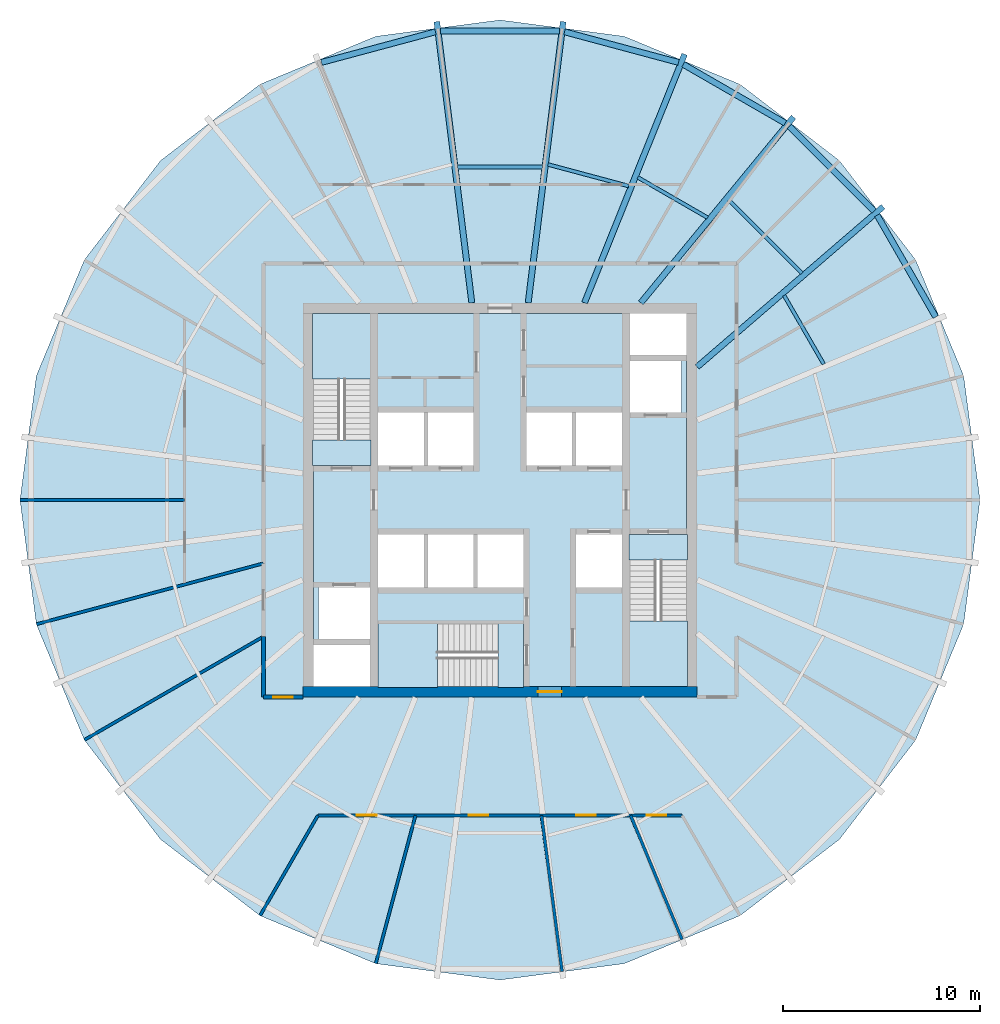
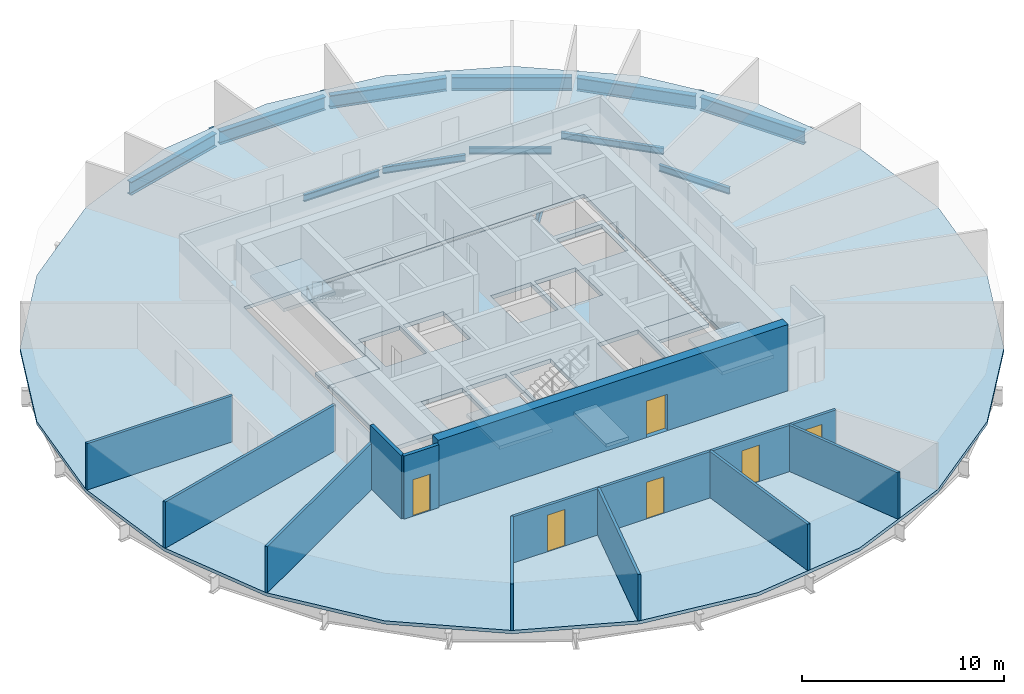
# One storey, part 2 of 6: 16 beams, 11 walls, 8 slabs, 6 doors, 6 openings, 3 elements without a shape of their own.
"""IFC4 building model written with IfcOpenShell, lengths in metres."""

from ifc_helpers import new_model, si_unit, direction, frame, frame_2d, origin, origin_2d, place, context, subcontext, project, spatial, polyline, rectangle, i_section, outline, extrude, material, layer, layer_set, material_profile, profile_set, type_object, element, fill, aggregate, save


model = new_model("IFC4")

# Units and contexts
model_context = context("Model", 3, precision=1e-05, world=origin(), true_north=direction((0.0, 1.0)))
body_context = subcontext(model_context, "Body", "Model", "MODEL_VIEW")
ifc_project = project(units=[si_unit("LENGTHUNIT", "METRE"), si_unit("AREAUNIT", "SQUARE_METRE"), si_unit("VOLUMEUNIT", "CUBIC_METRE"), si_unit("PLANEANGLEUNIT", "RADIAN"), si_unit("MASSUNIT", "GRAM", prefix="KILO")], contexts=[model_context])

# Site, building, storey
site_placement = place(None, origin())
site = spatial("IfcSite", under=ifc_project, at=site_placement, CompositionType="ELEMENT")
building_placement = place(site_placement, origin())
building = spatial("IfcBuilding", under=site, at=building_placement, Name="Golbaran Civic Tower", CompositionType="ELEMENT")
storey_placement = place(building_placement, frame((0.0, 0.0, 142.0)))
storey = spatial("IfcBuildingStorey", under=building, at=storey_placement, Name="L34", CompositionType="ELEMENT", Elevation=142.0)

# Beams
ifc_material_1 = material(Name="Steel S355", Category="steel")
ifc_material_profile_1 = material_profile(ifc_material_1, i_section(OverallWidth=0.300048828125, OverallDepth=0.800048828125, WebThickness=0.017578125, FlangeThickness=0.032958984375, FilletRadius=0.030029296875, at=origin_2d()), Name="HEB 800")
ifc_profile_set_1 = profile_set([ifc_material_profile_1], Name="Steel S355")
beam_type_1 = type_object("IfcBeamType", Name="EDGE BEAM HEB 800", PredefinedType="BEAM", material=ifc_profile_set_1)
beam_1_placement = place(storey_placement, frame((22.099853515625, 9.28076171875, -0.60009765625), z_axis=(-0.498793737577, 0.866720720505, 0.0), x_axis=(-0.866720720505, -0.498793737577, 0.0)))
element("IfcBeam", 1, at=beam_1_placement, inside=storey, type_object=beam_type_1, Name="Edge beam 22.48 L34", PredefinedType="BEAM", context=body_context, shape_type="SweptSolid", body=[
    extrude(i_section(OverallWidth=0.300048828125, OverallDepth=0.800048828125, WebThickness=0.017578125, FlangeThickness=0.032958984375, FilletRadius=0.030029296875, at=origin_2d()), origin(), (0.0, 0.0, 1.0), 5.956787109375),
])
beam_2_placement = place(storey_placement, frame((18.970458984375, 14.650634765625, -0.60009765625), z_axis=(-0.706725445566, 0.707487911267, 0.0), x_axis=(-0.707487911267, -0.706725445566, 0.0)))
element("IfcBeam", 2, at=beam_2_placement, inside=storey, type_object=beam_type_1, Name="Edge beam 37.52 L34", PredefinedType="BEAM", context=body_context, shape_type="SweptSolid", body=[
    extrude(i_section(OverallWidth=0.300048828125, OverallDepth=0.800048828125, WebThickness=0.017578125, FlangeThickness=0.032958984375, FilletRadius=0.030029296875, at=origin_2d()), origin(), (0.0, 0.0, 1.0), 6.083740234375),
])
beam_3_placement = place(storey_placement, frame((14.46435546875, 19.113037109375, -0.60009765625), z_axis=(-0.86628980393, 0.499541765628, 0.0), x_axis=(-0.499541765628, -0.86628980393, 0.0)))
element("IfcBeam", 3, at=beam_3_placement, inside=storey, type_object=beam_type_1, Name="Edge beam 52.48 L34", PredefinedType="BEAM", context=body_context, shape_type="SweptSolid", body=[
    extrude(i_section(OverallWidth=0.300048828125, OverallDepth=0.800048828125, WebThickness=0.017578125, FlangeThickness=0.032958984375, FilletRadius=0.030029296875, at=origin_2d()), origin(), (0.0, 0.0, 1.0), 5.9658203125),
])
beam_4_placement = place(storey_placement, frame((9.05615234375, 22.192626953125, -0.60009765625), z_axis=(-0.965826411285, 0.25918978233, 0.0), x_axis=(-0.25918978233, -0.965826411285, 0.0)))
element("IfcBeam", 4, at=beam_4_placement, inside=storey, type_object=beam_type_1, Name="Edge beam 67.52 L34", PredefinedType="BEAM", context=body_context, shape_type="SweptSolid", body=[
    extrude(i_section(OverallWidth=0.300048828125, OverallDepth=0.800048828125, WebThickness=0.017578125, FlangeThickness=0.032958984375, FilletRadius=0.030029296875, at=origin_2d()), origin(), (0.0, 0.0, 1.0), 5.98876953125),
])
beam_5_placement = place(storey_placement, frame((3.01416015625, 23.779052734375, -0.60009765625), z_axis=(-1.0, 0.0, 0.0), x_axis=(0.0, -1.0, 0.0)))
element("IfcBeam", 5, at=beam_5_placement, inside=storey, type_object=beam_type_1, Name="Edge beam 82.48 L34", PredefinedType="BEAM", context=body_context, shape_type="SweptSolid", body=[
    extrude(i_section(OverallWidth=0.300048828125, OverallDepth=0.800048828125, WebThickness=0.017578125, FlangeThickness=0.032958984375, FilletRadius=0.030029296875, at=origin_2d()), origin(), (0.0, 0.0, 1.0), 6.0283203125),
])
beam_6_placement = place(storey_placement, frame((-3.27197265625, 23.744873046875, -0.60009765625), z_axis=(-0.965826411285, -0.25918978233, 0.0), x_axis=(0.25918978233, -0.965826411285, 0.0)))
element("IfcBeam", 6, at=beam_6_placement, inside=storey, type_object=beam_type_1, Name="Edge beam 97.52 L34", PredefinedType="BEAM", context=body_context, shape_type="SweptSolid", body=[
    extrude(i_section(OverallWidth=0.300048828125, OverallDepth=0.800048828125, WebThickness=0.017578125, FlangeThickness=0.032958984375, FilletRadius=0.030029296875, at=origin_2d()), origin(), (0.0, 0.0, 1.0), 5.98876953125),
])
ifc_material_profile_2 = material_profile(ifc_material_1, i_section(OverallWidth=0.179931640625, OverallDepth=0.39990234375, WebThickness=0.008544921875, FlangeThickness=0.013427734375, FilletRadius=0.02099609375, at=origin_2d()), Name="IPE 400")
ifc_profile_set_2 = profile_set([ifc_material_profile_2], Name="Steel S355")
beam_type_2 = type_object("IfcBeamType", Name="FLOOR INFILL BEAM IPE 400", PredefinedType="BEAM", material=ifc_profile_set_2)
beam_7_placement = place(storey_placement, frame((16.41943359375, 6.891357421875, -0.39990234375), z_axis=(-0.500021824959, 0.866012802772, 0.0), x_axis=(-0.866012802772, -0.500021824959, 0.0)))
element("IfcBeam", 7, at=beam_7_placement, inside=storey, type_object=beam_type_2, Name="Infill beam 30.00 L34", PredefinedType="BEAM", context=body_context, shape_type="SweptSolid", body=[
    extrude(i_section(OverallWidth=0.179931640625, OverallDepth=0.39990234375, WebThickness=0.008544921875, FlangeThickness=0.013427734375, FilletRadius=0.02099609375, at=origin_2d()), origin(), (0.0, 0.0, 1.0), 4.023681640625),
])
beam_8_placement = place(storey_placement, frame((15.312744140625, 11.4990234375, -0.39990234375), z_axis=(-0.707106781187, 0.707106781187, 0.0), x_axis=(-0.707106781187, -0.707106781187, 0.0)))
element("IfcBeam", 8, at=beam_8_placement, inside=storey, type_object=beam_type_2, Name="Infill beam 45.00 L34", PredefinedType="BEAM", context=body_context, shape_type="SweptSolid", body=[
    extrude(i_section(OverallWidth=0.179931640625, OverallDepth=0.39990234375, WebThickness=0.008544921875, FlangeThickness=0.013427734375, FilletRadius=0.02099609375, at=origin_2d()), origin(), (0.0, 0.0, 1.0), 5.2548828125),
])
beam_9_placement = place(storey_placement, frame((10.525634765625, 14.32080078125, -0.39990234375), z_axis=(-0.866016362635, 0.500015659404, 0.0), x_axis=(-0.500015659404, -0.866016362635, 0.0)))
element("IfcBeam", 9, at=beam_9_placement, inside=storey, type_object=beam_type_2, Name="Infill beam 60.00 L34", PredefinedType="BEAM", context=body_context, shape_type="SweptSolid", body=[
    extrude(i_section(OverallWidth=0.179931640625, OverallDepth=0.39990234375, WebThickness=0.008544921875, FlangeThickness=0.013427734375, FilletRadius=0.02099609375, at=origin_2d()), origin(), (0.0, 0.0, 1.0), 4.084228515625),
])
beam_10_placement = place(storey_placement, frame((6.529541015625, 15.919677734375, -0.39990234375), z_axis=(-0.965927491023, 0.25881283215, 0.0), x_axis=(-0.25881283215, -0.965927491023, 0.0)))
element("IfcBeam", 10, at=beam_10_placement, inside=storey, type_object=beam_type_2, Name="Infill beam 75.00 L34", PredefinedType="BEAM", context=body_context, shape_type="SweptSolid", body=[
    extrude(i_section(OverallWidth=0.179931640625, OverallDepth=0.39990234375, WebThickness=0.008544921875, FlangeThickness=0.013427734375, FilletRadius=0.02099609375, at=origin_2d()), origin(), (0.0, 0.0, 1.0), 4.240234375),
])
beam_11_placement = place(storey_placement, frame((2.15576171875, 16.889404296875, -0.39990234375), z_axis=(-1.0, 0.0, 0.0), x_axis=(0.0, -1.0, 0.0)))
element("IfcBeam", 11, at=beam_11_placement, inside=storey, type_object=beam_type_2, Name="Infill beam 90.00 L34", PredefinedType="BEAM", context=body_context, shape_type="SweptSolid", body=[
    extrude(i_section(OverallWidth=0.179931640625, OverallDepth=0.39990234375, WebThickness=0.008544921875, FlangeThickness=0.013427734375, FilletRadius=0.02099609375, at=origin_2d()), origin(), (0.0, 0.0, 1.0), 4.3115234375),
])
ifc_material_profile_3 = material_profile(ifc_material_1, i_section(OverallWidth=0.300048828125, OverallDepth=1.0, WebThickness=0.01904296875, FlangeThickness=0.035888671875, FilletRadius=0.030029296875, at=origin_2d()), Name="HEB 1000")
ifc_profile_set_3 = profile_set([ifc_material_profile_3], Name="Steel S355")
beam_type_3 = type_object("IfcBeamType", Name="RADIAL FLOOR BEAM HEB 1000", PredefinedType="BEAM", material=ifc_profile_set_3)
beam_12_placement = place(storey_placement, frame((10.0, 6.75, -0.7099609375), z_axis=(0.757588545907, 0.652732406971, 0.0), x_axis=(-0.652732406971, 0.757588545907, 0.0)))
element("IfcBeam", 12, at=beam_12_placement, inside=storey, type_object=beam_type_3, Name="Radial beam 37.52 L34", PredefinedType="BEAM", context=body_context, shape_type="SweptSolid", body=[
    extrude(i_section(OverallWidth=0.300048828125, OverallDepth=1.0, WebThickness=0.01904296875, FlangeThickness=0.035888671875, FilletRadius=0.030029296875, at=origin_2d()), origin(), (0.0, 0.0, 1.0), 12.447265625),
])
beam_13_placement = place(storey_placement, frame((7.142822265625, 10.0, -0.7099609375), z_axis=(0.634945598952, 0.772556849928, 0.0), x_axis=(-0.772556849928, 0.634945598952, 0.0)))
element("IfcBeam", 13, at=beam_13_placement, inside=storey, type_object=beam_type_3, Name="Radial beam 52.48 L34", PredefinedType="BEAM", context=body_context, shape_type="SweptSolid", body=[
    extrude(i_section(OverallWidth=0.300048828125, OverallDepth=1.0, WebThickness=0.01904296875, FlangeThickness=0.035888671875, FilletRadius=0.030029296875, at=origin_2d()), origin(), (0.0, 0.0, 1.0), 12.1953125),
])
beam_14_placement = place(storey_placement, frame((4.28564453125, 10.0, -0.7099609375), z_axis=(0.373585300299, 0.927595829767, 0.0), x_axis=(-0.927595829767, 0.373585300299, 0.0)))
element("IfcBeam", 14, at=beam_14_placement, inside=storey, type_object=beam_type_3, Name="Radial beam 67.52 L34", PredefinedType="BEAM", context=body_context, shape_type="SweptSolid", body=[
    extrude(i_section(OverallWidth=0.300048828125, OverallDepth=1.0, WebThickness=0.01904296875, FlangeThickness=0.035888671875, FilletRadius=0.030029296875, at=origin_2d()), origin(), (0.0, 0.0, 1.0), 13.59228515625),
])
for number, where, z_axis, x_axis, name in (
    (15, (1.428466796875, 10.0, -0.7099609375), (0.123633247353, 0.99232798013, 0.0), (-0.99232798013, 0.123633247353, 0.0), "Radial beam 82.48 L34"),
    (16, (-1.428466796875, 10.0, -0.7099609375), (-0.123633247353, 0.99232798013, 0.0), (-0.99232798013, -0.123633247353, 0.0), "Radial beam 97.52 L34"),
):
    element("IfcBeam", number, at=place(storey_placement, frame(where, z_axis=z_axis, x_axis=x_axis)), inside=storey, type_object=beam_type_3, Name=name, PredefinedType="BEAM", context=body_context, shape_type="SweptSolid", body=[
        extrude(i_section(OverallWidth=0.300048828125, OverallDepth=1.0, WebThickness=0.01904296875, FlangeThickness=0.035888671875, FilletRadius=0.030029296875, at=origin_2d()), origin(), (0.0, 0.0, 1.0), 14.3701171875),
    ])

# Slabs
ifc_material_2 = material(Name="Concrete LC30/33 lightweight on steel deck", Category="concrete")
ifc_layer_1 = layer(ifc_material_2, 0.199951171875, Name="Concrete LC30/33 lightweight on steel deck")
ifc_layer_set_1 = layer_set([ifc_layer_1], Name="Concrete LC30/33 lightweight on steel deck")
slab_type_1 = type_object("IfcSlabType", Name="COMPOSITE FLOOR SLAB 200", PredefinedType="FLOOR", material=ifc_layer_set_1)
slab_1_placement = place(storey_placement, frame((0.0, 0.0, -0.199951171875)))
element("IfcSlab", 17, at=slab_1_placement, inside=storey, type_object=slab_type_1, Name="Floor slab L34", PredefinedType="FLOOR", context=body_context, shape_type="SweptSolid", body=[
    extrude(outline(polyline([(21.082763671875, -12.172119140625), (17.214111328125, -17.214111328125), (12.172119140625, -21.082763671875), (6.30078125, -23.514892578125), (0.0, -24.34423828125), (-6.30078125, -23.514892578125), (-12.172119140625, -21.082763671875), (-17.214111328125, -17.214111328125), (-21.082763671875, -12.172119140625), (-23.514892578125, -6.30078125), (-24.34423828125, 0.0), (-23.514892578125, 6.30078125), (-21.082763671875, 12.172119140625), (-17.214111328125, 17.214111328125), (-12.172119140625, 21.082763671875), (-6.30078125, 23.514892578125), (0.0, 24.34423828125), (6.30078125, 23.514892578125), (12.172119140625, 21.082763671875), (17.214111328125, 17.214111328125), (21.082763671875, 12.172119140625), (23.514892578125, 6.30078125), (24.34423828125, 0.0), (23.514892578125, -6.30078125), (21.082763671875, -12.172119140625)]), holes=[polyline([(-9.72509765625, 9.72509765625), (-9.72509765625, -9.72509765625), (9.72509765625, -9.72509765625), (9.72509765625, 9.72509765625), (-9.72509765625, 9.72509765625)])]), origin(), (0.0, 0.0, 1.0), 0.199951171875),
])
ifc_material_3 = material(Name="Concrete C35/45", Category="concrete")
ifc_layer_2 = layer(ifc_material_3, 0.25, Name="Concrete C35/45")
ifc_layer_set_2 = layer_set([ifc_layer_2], Name="Concrete C35/45")
slab_type_2 = type_object("IfcSlabType", Name="CORE FLOOR SLAB 250", PredefinedType="FLOOR", material=ifc_layer_set_2)
slab_2_placement = place(storey_placement, frame((0.0, 0.0, -0.25)))
element("IfcSlab", 18, at=slab_2_placement, inside=storey, type_object=slab_type_2, Name="Core floor slab L34", PredefinedType="FLOOR", context=body_context, shape_type="SweptSolid", body=[
    extrude(outline(polyline([(6.60009765625, -1.75), (6.60009765625, -9.449951171875), (1.199951171875, -9.449951171875), (1.199951171875, -6.300048828125), (-6.199951171875, -6.300048828125), (-6.199951171875, -9.449951171875), (-6.60009765625, -9.449951171875), (-6.60009765625, -7.35009765625), (-9.449951171875, -7.35009765625), (-9.449951171875, 1.75), (-6.60009765625, 1.75), (-6.60009765625, 9.449951171875), (6.60009765625, 9.449951171875), (6.60009765625, 7.35009765625), (9.449951171875, 7.35009765625), (9.449951171875, -1.75), (6.60009765625, -1.75)]), holes=[polyline([(9.199951171875, 7.050048828125), (6.60009765625, 7.050048828125), (6.60009765625, 4.449951171875), (9.199951171875, 4.449951171875), (9.199951171875, 7.050048828125)]), polyline([(6.199951171875, -1.75), (3.85009765625, -1.75), (3.85009765625, -4.449951171875), (6.199951171875, -4.449951171875), (6.199951171875, -1.75)]), polyline([(6.199951171875, 4.449951171875), (3.85009765625, 4.449951171875), (3.85009765625, 1.75), (6.199951171875, 1.75), (6.199951171875, 4.449951171875)]), polyline([(3.64990234375, 4.449951171875), (1.35009765625, 4.449951171875), (1.35009765625, 1.75), (3.64990234375, 1.75), (3.64990234375, 4.449951171875)]), polyline([(1.199951171875, -1.75), (-1.14990234375, -1.75), (-1.14990234375, -4.449951171875), (1.199951171875, -4.449951171875), (1.199951171875, -1.75)]), polyline([(-1.35009765625, 4.449951171875), (-3.64990234375, 4.449951171875), (-3.64990234375, 1.75), (-1.35009765625, 1.75), (-1.35009765625, 4.449951171875)]), polyline([(-1.35009765625, -1.75), (-3.64990234375, -1.75), (-3.64990234375, -4.449951171875), (-1.35009765625, -4.449951171875), (-1.35009765625, -1.75)]), polyline([(-3.85009765625, -1.75), (-6.199951171875, -1.75), (-6.199951171875, -4.449951171875), (-3.85009765625, -4.449951171875), (-3.85009765625, -1.75)]), polyline([(-3.85009765625, 4.449951171875), (-6.199951171875, 4.449951171875), (-6.199951171875, 1.75), (-3.85009765625, 1.75), (-3.85009765625, 4.449951171875)]), polyline([(-6.60009765625, -4.449951171875), (-9.199951171875, -4.449951171875), (-9.199951171875, -7.050048828125), (-6.60009765625, -7.050048828125), (-6.60009765625, -4.449951171875)])]), origin(), (0.0, 0.0, 1.0), 0.25),
])

# Stair, slab
stair_type_1 = type_object("IfcStairType", Name="EXIT STAIR 2850 x 7700, 4000 RISE", PredefinedType="HALF_TURN_STAIR", material=ifc_material_3)
stair_1_placement = place(storey_placement, origin())
stair_1 = element("IfcStair", 19, at=stair_1_placement, inside=storey, type_object=stair_type_1, Name="Stair S1 L34", PredefinedType="HALF_TURN_STAIR")
ifc_layer_3 = layer(ifc_material_3, 0.199951171875, Name="Concrete C35/45")
ifc_layer_set_3 = layer_set([ifc_layer_3], Name="Concrete C35/45")
slab_type_3 = type_object("IfcSlabType", Name="STAIR LANDING 200", PredefinedType="LANDING", material=ifc_layer_set_3)
slab_3_placement = place(storey_placement, frame((0.0, 0.0, 1.800048828125)))
slab_3 = element("IfcSlab", 20, at=slab_3_placement, type_object=slab_type_3, Name="ST28577-40 landing 1", PredefinedType="LANDING", context=body_context, shape_type="SweptSolid", body=[
    extrude(outline(polyline([(-9.5, 6.125), (-9.5, 9.449951171875), (-6.550048828125, 9.449951171875), (-6.550048828125, 6.125), (-9.5, 6.125)])), origin(), (0.0, 0.0, 1.0), 0.199951171875),
])
aggregate(stair_1, [slab_3])

# Slab
slab_4_placement = place(storey_placement, frame((0.0, 0.0, -0.199951171875)))
element("IfcSlab", 21, at=slab_4_placement, inside=storey, type_object=slab_type_3, Name="Stair S1 floor landing L34", PredefinedType="LANDING", context=body_context, shape_type="SweptSolid", body=[
    extrude(outline(polyline([(-9.5, 1.75), (-9.5, 3.054931640625), (-6.550048828125, 3.054931640625), (-6.550048828125, 1.75), (-9.5, 1.75)])), origin(), (0.0, 0.0, 1.0), 0.199951171875),
])

# Stair, slab
stair_2_placement = place(storey_placement, origin())
stair_2 = element("IfcStair", 22, at=stair_2_placement, inside=storey, type_object=stair_type_1, Name="Stair S2 L34", PredefinedType="HALF_TURN_STAIR")
slab_5_placement = place(storey_placement, frame((0.0, 0.0, 1.800048828125)))
slab_5 = element("IfcSlab", 23, at=slab_5_placement, type_object=slab_type_3, Name="ST28577-40 landing 1", PredefinedType="LANDING", context=body_context, shape_type="SweptSolid", body=[
    extrude(outline(polyline([(9.5, -6.125), (9.5, -9.449951171875), (6.550048828125, -9.449951171875), (6.550048828125, -6.125), (9.5, -6.125)])), origin(), (0.0, 0.0, 1.0), 0.199951171875),
])
aggregate(stair_2, [slab_5])

# Slab
slab_6_placement = place(storey_placement, frame((0.0, 0.0, -0.199951171875)))
element("IfcSlab", 24, at=slab_6_placement, inside=storey, type_object=slab_type_3, Name="Stair S2 floor landing L34", PredefinedType="LANDING", context=body_context, shape_type="SweptSolid", body=[
    extrude(outline(polyline([(9.5, -1.75), (9.5, -3.054931640625), (6.550048828125, -3.054931640625), (6.550048828125, -1.75), (9.5, -1.75)])), origin(), (0.0, 0.0, 1.0), 0.199951171875),
])

# Stair, slab
stair_type_2 = type_object("IfcStairType", Name="EXIT STAIR 3150 x 7400, 4000 RISE", PredefinedType="HALF_TURN_STAIR", material=ifc_material_3)
stair_3_placement = place(storey_placement, origin())
stair_3 = element("IfcStair", 25, at=stair_3_placement, inside=storey, type_object=stair_type_2, Name="Stair S3 L34", PredefinedType="HALF_TURN_STAIR")
slab_7_placement = place(storey_placement, frame((0.0, 0.0, 1.800048828125)))
slab_7 = element("IfcSlab", 26, at=slab_7_placement, type_object=slab_type_3, Name="ST31574-40 landing 1", PredefinedType="LANDING", context=body_context, shape_type="SweptSolid", body=[
    extrude(outline(polyline([(-3.175048828125, -9.5), (-6.199951171875, -9.5), (-6.199951171875, -6.25), (-3.175048828125, -6.25), (-3.175048828125, -9.5)])), origin(), (0.0, 0.0, 1.0), 0.199951171875),
])
aggregate(stair_3, [slab_7])

# Slab
slab_8_placement = place(storey_placement, frame((0.0, 0.0, -0.199951171875)))
element("IfcSlab", 27, at=slab_8_placement, inside=storey, type_object=slab_type_3, Name="Stair S3 floor landing L34", PredefinedType="LANDING", context=body_context, shape_type="SweptSolid", body=[
    extrude(outline(polyline([(1.199951171875, -9.5), (-0.10498046875, -9.5), (-0.10498046875, -6.25), (1.199951171875, -6.25), (1.199951171875, -9.5)])), origin(), (0.0, 0.0, 1.0), 0.199951171875),
])

# Wall, opening, door
ifc_material_4 = material(Name="Concrete C50/60", Category="concrete")
ifc_layer_4 = layer(ifc_material_4, 0.550048828125, Name="Concrete C50/60")
ifc_layer_set_4 = layer_set([ifc_layer_4], Name="Concrete C50/60")
wall_type_1 = type_object("IfcWallType", Name="CORE WALL CONCRETE 550", PredefinedType="SOLIDWALL", material=ifc_layer_set_4)
wall_1_placement = place(storey_placement, frame((10.0, -9.72509765625, 0.0), z_axis=(0.0, 0.0, 1.0), x_axis=(-1.0, 0.0, 0.0)))
wall_1 = element("IfcWall", 28, at=wall_1_placement, inside=storey, type_object=wall_type_1, Name="Core wall CS L34", PredefinedType="SOLIDWALL", context=body_context, shape_type="SweptSolid", body=[
    extrude(rectangle(XDim=20.0, YDim=0.550048828125, at=frame_2d((10.0, 0.0))), origin(), (0.0, 0.0, 1.0), 4.0),
])
opening_1_placement = place(wall_1_placement, frame((6.875, 0.0, 0.0)))
opening_1 = element("IfcOpeningElement", 29, at=opening_1_placement, cuts=wall_1, Name="Opening L34.CS", PredefinedType="OPENING", context=body_context, shape_type="SweptSolid", body=[
    extrude(rectangle(XDim=1.199951171875, YDim=2.199951171875, at=frame_2d((0.60009765625, 1.10009765625))), frame((0.0, 0.284912109375, 0.0), z_axis=(0.0, -1.0, 0.0), x_axis=(1.0, 0.0, 0.0)), (0.0, 0.0, 1.0), 0.570068359375),
])
ifc_material_5 = material(Name="Timber door set in steel frame", Category="steel")
door_type_1 = type_object("IfcDoorType", Name="CORE DOOR 1200x2200", OperationType="DOUBLE_DOOR_SINGLE_SWING", PredefinedType="DOOR", material=ifc_material_5)
door_1_placement = place(opening_1_placement, origin())
door_1 = element("IfcDoor", 30, at=door_1_placement, inside=storey, type_object=door_type_1, Name="Core door south", OperationType="DOUBLE_DOOR_SINGLE_SWING", OverallHeight=2.199951171875, OverallWidth=1.199951171875, PredefinedType="DOOR", context=body_context, shape_type="SweptSolid", body=[
    extrude(rectangle(XDim=1.199951171875, YDim=2.199951171875, at=frame_2d((0.60009765625, 1.10009765625))), frame((0.0, 0.02490234375, 0.0), z_axis=(0.0, -1.0, 0.0), x_axis=(1.0, 0.0, 0.0)), (0.0, 0.0, 1.0), 0.050048828125),
])
fill(opening_1, door_1)

# Wall
ifc_material_6 = material(Name="Gypsum board on steel studs, fire-rated", Category="steel")
ifc_layer_5 = layer(ifc_material_6, 0.199951171875, Name="Gypsum board on steel studs, fire-rated")
ifc_layer_set_5 = layer_set([ifc_layer_5], Name="Gypsum board on steel studs, fire-rated")
wall_type_2 = type_object("IfcWallType", Name="CORRIDOR WALL 200", PredefinedType="PARTITIONING", material=ifc_layer_set_5)
wall_2_placement = place(storey_placement, frame((-12.0, -6.92822265625, 0.0), z_axis=(0.0, 0.0, 1.0), x_axis=(0.0, -1.0, 0.0)))
element("IfcWall", 31, at=wall_2_placement, inside=storey, type_object=wall_type_2, Name="Corridor wall L34", PredefinedType="PARTITIONING", context=body_context, shape_type="SweptSolid", body=[
    extrude(rectangle(XDim=3.07177734375, YDim=0.199951171875, at=frame_2d((1.535888671875, 0.0))), origin(), (0.0, 0.0, 1.0), 3.800048828125),
])

# Wall, opening, door
wall_3_placement = place(storey_placement, frame((-10.0, -10.0, 0.0), z_axis=(0.0, 0.0, 1.0), x_axis=(-1.0, 0.0, 0.0)))
wall_3 = element("IfcWall", 32, at=wall_3_placement, inside=storey, type_object=wall_type_2, Name="Corridor end wall L34", PredefinedType="PARTITIONING", context=body_context, shape_type="SweptSolid", body=[
    extrude(rectangle(XDim=2.0, YDim=0.199951171875, at=frame_2d((1.0, 0.0))), origin(), (0.0, 0.0, 1.0), 3.800048828125),
])
opening_2_placement = place(wall_3_placement, frame((0.5, 0.0, 0.0)))
opening_2 = element("IfcOpeningElement", 33, at=opening_2_placement, cuts=wall_3, Name="Opening L34.24", PredefinedType="OPENING", context=body_context, shape_type="SweptSolid", body=[
    extrude(rectangle(XDim=1.0, YDim=2.199951171875, at=frame_2d((0.5, 1.10009765625))), frame((0.0, 0.10986328125, 0.0), z_axis=(0.0, -1.0, 0.0), x_axis=(1.0, 0.0, 0.0)), (0.0, 0.0, 1.0), 0.219970703125),
])
door_type_2 = type_object("IfcDoorType", Name="OFFICE DOOR 1000x2200", OperationType="SINGLE_SWING_LEFT", PredefinedType="DOOR", material=ifc_material_5)
door_2_placement = place(opening_2_placement, origin())
door_2 = element("IfcDoor", 34, at=door_2_placement, inside=storey, type_object=door_type_2, Name="Open Office door L34", OperationType="SINGLE_SWING_RIGHT", OverallHeight=2.199951171875, OverallWidth=1.0, PredefinedType="DOOR", context=body_context, shape_type="SweptSolid", body=[
    extrude(rectangle(XDim=1.0, YDim=2.199951171875, at=frame_2d((0.5, 1.10009765625))), frame((0.0, 0.02490234375, 0.0), z_axis=(0.0, -1.0, 0.0), x_axis=(1.0, 0.0, 0.0)), (0.0, 0.0, 1.0), 0.050048828125),
])
fill(opening_2, door_2)

# Walls
ifc_material_7 = material(Name="Gypsum board on steel studs", Category="steel")
ifc_layer_6 = layer(ifc_material_7, 0.14990234375, Name="Gypsum board on steel studs")
ifc_layer_set_6 = layer_set([ifc_layer_6], Name="Gypsum board on steel studs")
wall_type_3 = type_object("IfcWallType", Name="OFFICE PARTITION 150", PredefinedType="PARTITIONING", material=ifc_layer_set_6)
wall_4_placement = place(storey_placement, frame((-12.0, -3.21533203125, 0.0), z_axis=(0.0, 0.0, 1.0), x_axis=(-0.965926367889, -0.258817023816, 0.0)))
element("IfcWall", 35, at=wall_4_placement, inside=storey, type_object=wall_type_3, Name="Partition 195 L34", PredefinedType="PARTITIONING", context=body_context, shape_type="SweptSolid", body=[
    extrude(rectangle(XDim=11.910888671875, YDim=0.14990234375, at=frame_2d((5.95556640625, 0.0))), origin(), (0.0, 0.0, 1.0), 2.7900390625),
])
wall_5_placement = place(storey_placement, frame((-12.0, -6.92822265625, 0.0), z_axis=(0.0, 0.0, 1.0), x_axis=(-0.866029212144, -0.49999340367, 0.0)))
element("IfcWall", 36, at=wall_5_placement, inside=storey, type_object=wall_type_3, Name="Partition 210 L34", PredefinedType="PARTITIONING", context=body_context, shape_type="SweptSolid", body=[
    extrude(rectangle(XDim=10.477783203125, YDim=0.14990234375, at=frame_2d((5.23876953125, 0.0))), origin(), (0.0, 0.0, 1.0), 2.7900390625),
])
wall_6_placement = place(storey_placement, frame((-16.0, 0.0, 0.0), z_axis=(0.0, 0.0, 1.0), x_axis=(-1.0, 0.0, 0.0)))
element("IfcWall", 37, at=wall_6_placement, inside=storey, type_object=wall_type_3, Name="Partition 180 L34", PredefinedType="PARTITIONING", context=body_context, shape_type="SweptSolid", body=[
    extrude(rectangle(XDim=8.334228515625, YDim=0.14990234375, at=frame_2d((4.1669921875, 0.0))), origin(), (0.0, 0.0, 1.0), 2.7900390625),
])

# Wall, openings, doors
wall_7_placement = place(storey_placement, frame((-9.237548828125, -16.0, 0.0), z_axis=(0.0, 0.0, 1.0), x_axis=(1.0, 0.0, 0.0)))
wall_7 = element("IfcWall", 38, at=wall_7_placement, inside=storey, type_object=wall_type_3, Name="Suite partition L34", PredefinedType="PARTITIONING", context=body_context, shape_type="SweptSolid", body=[
    extrude(rectangle(XDim=18.47509765625, YDim=0.14990234375, at=frame_2d((9.237548828125, 0.0))), origin(), (0.0, 0.0, 1.0), 2.7900390625),
])
opening_3_placement = place(wall_7_placement, frame((1.97509765625, 0.0, 0.0)))
opening_3 = element("IfcOpeningElement", 39, at=opening_3_placement, cuts=wall_7, Name="Opening L34.07", PredefinedType="OPENING", context=body_context, shape_type="SweptSolid", body=[
    extrude(rectangle(XDim=1.0, YDim=2.199951171875, at=frame_2d((0.5, 1.10009765625))), frame((0.0, 0.0849609375, 0.0), z_axis=(0.0, -1.0, 0.0), x_axis=(1.0, 0.0, 0.0)), (0.0, 0.0, 1.0), 0.169921875),
])
opening_4_placement = place(wall_7_placement, frame((7.647216796875, 0.0, 0.0)))
opening_4 = element("IfcOpeningElement", 40, at=opening_4_placement, cuts=wall_7, Name="Opening L34.08", PredefinedType="OPENING", context=body_context, shape_type="SweptSolid", body=[
    extrude(rectangle(XDim=1.0, YDim=2.199951171875, at=frame_2d((0.5, 1.10009765625))), frame((0.0, 0.0849609375, 0.0), z_axis=(0.0, -1.0, 0.0), x_axis=(1.0, 0.0, 0.0)), (0.0, 0.0, 1.0), 0.169921875),
])
opening_5_placement = place(wall_7_placement, frame((13.1044921875, 0.0, 0.0)))
opening_5 = element("IfcOpeningElement", 41, at=opening_5_placement, cuts=wall_7, Name="Opening L34.09", PredefinedType="OPENING", context=body_context, shape_type="SweptSolid", body=[
    extrude(rectangle(XDim=1.0, YDim=2.199951171875, at=frame_2d((0.5, 1.10009765625))), frame((0.0, 0.0849609375, 0.0), z_axis=(0.0, -1.0, 0.0), x_axis=(1.0, 0.0, 0.0)), (0.0, 0.0, 1.0), 0.169921875),
])
opening_6_placement = place(wall_7_placement, frame((16.670166015625, 0.0, 0.0)))
opening_6 = element("IfcOpeningElement", 42, at=opening_6_placement, cuts=wall_7, Name="Opening L34.10", PredefinedType="OPENING", context=body_context, shape_type="SweptSolid", body=[
    extrude(rectangle(XDim=1.0, YDim=2.199951171875, at=frame_2d((0.5, 1.10009765625))), frame((0.0, 0.0849609375, 0.0), z_axis=(0.0, -1.0, 0.0), x_axis=(1.0, 0.0, 0.0)), (0.0, 0.0, 1.0), 0.169921875),
])
door_3_placement = place(opening_3_placement, origin())
door_3 = element("IfcDoor", 43, at=door_3_placement, inside=storey, type_object=door_type_2, Name="Director's Office door L34", OperationType="SINGLE_SWING_LEFT", OverallHeight=2.199951171875, OverallWidth=1.0, PredefinedType="DOOR", context=body_context, shape_type="SweptSolid", body=[
    extrude(rectangle(XDim=1.0, YDim=2.199951171875, at=frame_2d((0.5, 1.10009765625))), frame((0.0, 0.02490234375, 0.0), z_axis=(0.0, -1.0, 0.0), x_axis=(1.0, 0.0, 0.0)), (0.0, 0.0, 1.0), 0.050048828125),
])
fill(opening_3, door_3)
door_4_placement = place(opening_4_placement, origin())
door_4 = element("IfcDoor", 44, at=door_4_placement, inside=storey, type_object=door_type_2, Name="Director's Office door L34", OperationType="SINGLE_SWING_LEFT", OverallHeight=2.199951171875, OverallWidth=1.0, PredefinedType="DOOR", context=body_context, shape_type="SweptSolid", body=[
    extrude(rectangle(XDim=1.0, YDim=2.199951171875, at=frame_2d((0.5, 1.10009765625))), frame((0.0, 0.02490234375, 0.0), z_axis=(0.0, -1.0, 0.0), x_axis=(1.0, 0.0, 0.0)), (0.0, 0.0, 1.0), 0.050048828125),
])
fill(opening_4, door_4)
door_5_placement = place(opening_5_placement, origin())
door_5 = element("IfcDoor", 45, at=door_5_placement, inside=storey, type_object=door_type_2, Name="Director's Office door L34", OperationType="SINGLE_SWING_RIGHT", OverallHeight=2.199951171875, OverallWidth=1.0, PredefinedType="DOOR", context=body_context, shape_type="SweptSolid", body=[
    extrude(rectangle(XDim=1.0, YDim=2.199951171875, at=frame_2d((0.5, 1.10009765625))), frame((0.0, 0.02490234375, 0.0), z_axis=(0.0, -1.0, 0.0), x_axis=(1.0, 0.0, 0.0)), (0.0, 0.0, 1.0), 0.050048828125),
])
fill(opening_5, door_5)
door_6_placement = place(opening_6_placement, origin())
door_6 = element("IfcDoor", 46, at=door_6_placement, inside=storey, type_object=door_type_2, Name="Office door L34", OperationType="SINGLE_SWING_RIGHT", OverallHeight=2.199951171875, OverallWidth=1.0, PredefinedType="DOOR", context=body_context, shape_type="SweptSolid", body=[
    extrude(rectangle(XDim=1.0, YDim=2.199951171875, at=frame_2d((0.5, 1.10009765625))), frame((0.0, 0.02490234375, 0.0), z_axis=(0.0, -1.0, 0.0), x_axis=(1.0, 0.0, 0.0)), (0.0, 0.0, 1.0), 0.050048828125),
])
fill(opening_6, door_6)

# Walls
wall_8_placement = place(storey_placement, frame((-9.237548828125, -16.0, 0.0), z_axis=(0.0, 0.0, 1.0), x_axis=(-0.499997792181, -0.866026678465, 0.0)))
element("IfcWall", 47, at=wall_8_placement, inside=storey, type_object=wall_type_3, Name="Suite side partition L34", PredefinedType="PARTITIONING", context=body_context, shape_type="SweptSolid", body=[
    extrude(rectangle(XDim=5.85888671875, YDim=0.14990234375, at=frame_2d((2.929443359375, 0.0))), origin(), (0.0, 0.0, 1.0), 2.7900390625),
])
wall_9_placement = place(storey_placement, frame((-4.287109375, -16.0, 0.0), z_axis=(0.0, 0.0, 1.0), x_axis=(-0.25881827922, -0.965926031506, 0.0)))
element("IfcWall", 48, at=wall_9_placement, inside=storey, type_object=wall_type_3, Name="Partition 255 L34", PredefinedType="PARTITIONING", context=body_context, shape_type="SweptSolid", body=[
    extrude(rectangle(XDim=7.769775390625, YDim=0.14990234375, at=frame_2d((3.884765625, 0.0))), origin(), (0.0, 0.0, 1.0), 2.7900390625),
])
wall_10_placement = place(storey_placement, frame((2.1064453125, -16.0, 0.0), z_axis=(0.0, 0.0, 1.0), x_axis=(0.13053594497, -0.991443577351, 0.0)))
element("IfcWall", 49, at=wall_10_placement, inside=storey, type_object=wall_type_3, Name="Partition 277.5 L34", PredefinedType="PARTITIONING", context=body_context, shape_type="SweptSolid", body=[
    extrude(rectangle(XDim=7.988037109375, YDim=0.14990234375, at=frame_2d((3.994140625, 0.0))), origin(), (0.0, 0.0, 1.0), 2.7900390625),
])
wall_11_placement = place(storey_placement, frame((6.62744140625, -16.0, 0.0), z_axis=(0.0, 0.0, 1.0), x_axis=(0.382684356981, -0.923879149522, 0.0)))
element("IfcWall", 50, at=wall_11_placement, inside=storey, type_object=wall_type_3, Name="Partition 292.5 L34", PredefinedType="PARTITIONING", context=body_context, shape_type="SweptSolid", body=[
    extrude(rectangle(XDim=6.807861328125, YDim=0.14990234375, at=frame_2d((3.40380859375, 0.0))), origin(), (0.0, 0.0, 1.0), 2.7900390625),
])

save(model, "model.ifc")
